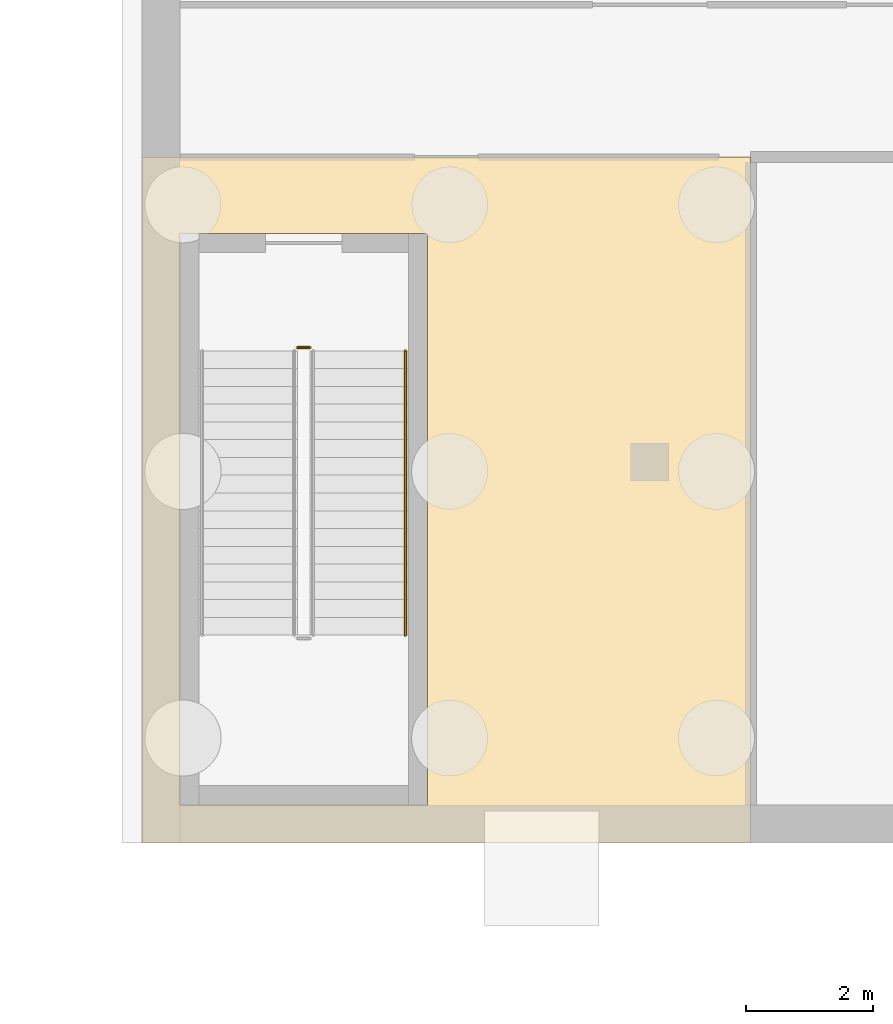
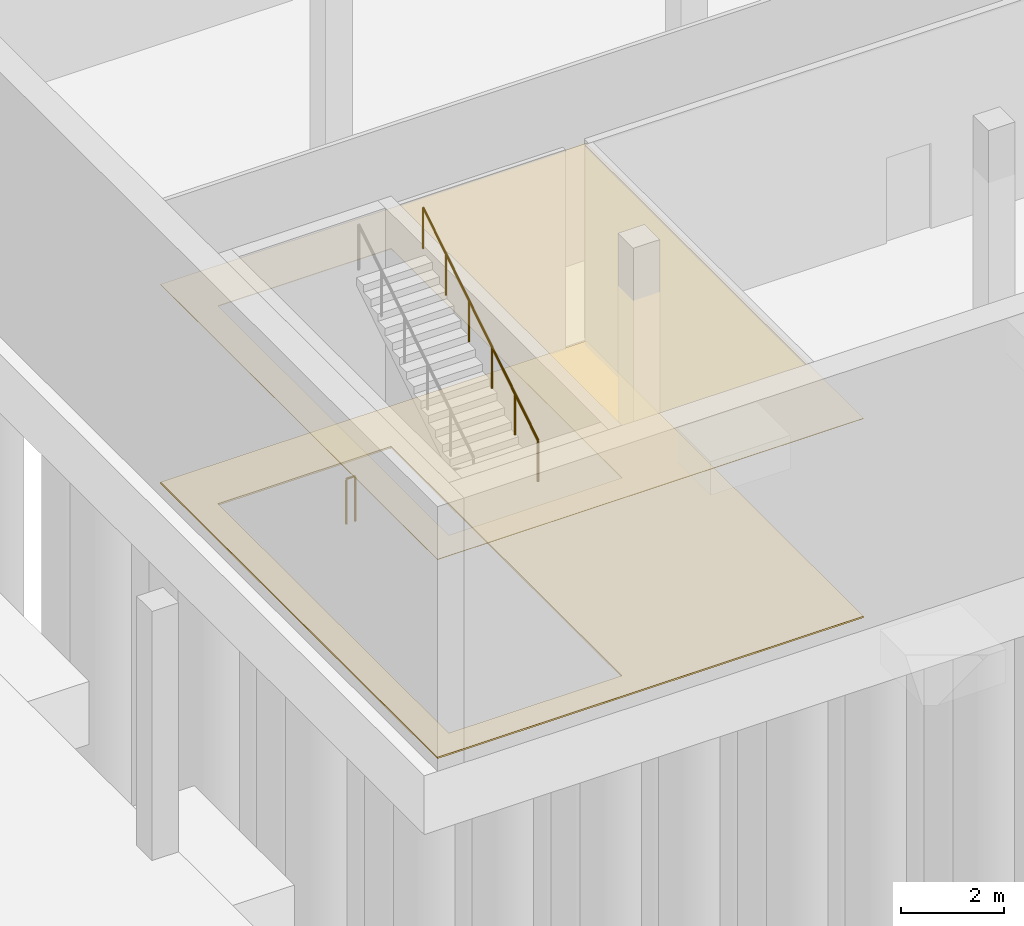
# One storey, part 47 of 66: 2 coverings, 2 railings.
"""IFC4 building model written with IfcOpenShell, lengths in metres."""

from ifc_helpers import new_model, si_unit, direction, frame, origin, origin_2d, place, context, subcontext, project, spatial, polyline, circle, outline, extrude, material, layer, layer_set, type_object, element, save


model = new_model("IFC4")

# Units and contexts
model_context = context("Model", 3, precision=1e-05, world=origin(), true_north=direction((0.0, 1.0)))
body_context = subcontext(model_context, "Body", "Model", "MODEL_VIEW")
ifc_project = project(units=[si_unit("LENGTHUNIT", "METRE"), si_unit("AREAUNIT", "SQUARE_METRE"), si_unit("VOLUMEUNIT", "CUBIC_METRE"), si_unit("PLANEANGLEUNIT", "RADIAN"), si_unit("MASSUNIT", "GRAM", prefix="KILO")], contexts=[model_context])

# Site, building, storey
site_placement = place(None, origin())
site = spatial("IfcSite", under=ifc_project, at=site_placement, CompositionType="ELEMENT")
building_placement = place(site_placement, origin())
building = spatial("IfcBuilding", under=site, at=building_placement, Name="Lunette Opera House", CompositionType="ELEMENT")
storey_placement = place(building_placement, frame((0.0, 0.0, -6.0)))
storey = spatial("IfcBuildingStorey", under=building, at=storey_placement, Name="B1", CompositionType="ELEMENT", Elevation=-6.0)

# Railings
ifc_material_1 = material(Name="Steel S355", Category="steel")
railing_type_1 = type_object("IfcRailingType", Name="STAIR GUARD 1100", PredefinedType="GUARDRAIL", material=ifc_material_1)
railing_1_placement = place(storey_placement, frame((62.449951171875, 103.800048828125, 0.0)))
element("IfcRailing", 1, at=railing_1_placement, inside=storey, type_object=railing_type_1, Name="B1 ST13 stair guard 4", PredefinedType="GUARDRAIL", context=body_context, shape_type="SweptSolid", body=[
    extrude(circle(Radius=0.02392578125, at=origin_2d()), frame((0.0, 0.0, 1.076171875), z_axis=(1.0, 0.0, 0.0), x_axis=(0.0, 1.0, 0.0)), (0.0, 0.0, 1.0), 0.199951171875),
    extrude(circle(Radius=0.02099609375, at=origin_2d()), origin(), (0.0, 0.0, 1.0), 1.052001953125),
    extrude(circle(Radius=0.02099609375, at=origin_2d()), frame((0.199951171875, 0.0, 0.0)), (0.0, 0.0, 1.0), 1.052001953125),
])
ifc_material_2 = material(Name="Steel S355", Category="steel")
railing_type_2 = type_object("IfcRailingType", Name="STAIR HANDRAIL 1000", PredefinedType="HANDRAIL", material=ifc_material_2)
railing_2_placement = place(storey_placement, frame((64.14990234375, 99.27001953125, 3.176513671875)))
element("IfcRailing", 2, at=railing_2_placement, inside=storey, type_object=railing_type_2, Name="B1 ST13 stair handrail 2", PredefinedType="HANDRAIL", context=body_context, shape_type="SweptSolid", body=[
    extrude(circle(Radius=0.02392578125, at=origin_2d()), frame((0.0, 0.0, 0.97607421875), z_axis=(0.0, 0.845997938375, 0.533186166611), x_axis=(-1.0, 0.0, 0.0)), (0.0, 0.0, 1.0), 5.29541015625),
    extrude(circle(Radius=0.02099609375, at=origin_2d()), origin(), (0.0, 0.0, 1.0), 0.951904296875),
    extrude(circle(Radius=0.02099609375, at=origin_2d()), frame((0.0, 0.89599609375, 0.564697265625)), (0.0, 0.0, 1.0), 0.951904296875),
    extrude(circle(Radius=0.02099609375, at=origin_2d()), frame((0.0, 1.7919921875, 1.12939453125)), (0.0, 0.0, 1.0), 0.951904296875),
    extrude(circle(Radius=0.02099609375, at=origin_2d()), frame((0.0, 2.68798828125, 1.694091796875)), (0.0, 0.0, 1.0), 0.951904296875),
    extrude(circle(Radius=0.02099609375, at=origin_2d()), frame((0.0, 3.583984375, 2.2587890625)), (0.0, 0.0, 1.0), 0.951904296875),
    extrude(circle(Radius=0.02099609375, at=origin_2d()), frame((0.0, 4.47998046875, 2.823486328125)), (0.0, 0.0, 1.0), 0.951904296875),
])

# Coverings
ifc_material_3 = material(Name="Mineral fibre board")
ifc_layer_1 = layer(ifc_material_3, 0.014892578125)
ifc_layer_set_1 = layer_set([ifc_layer_1], Name="Mineral fibre board")
covering_type_1 = type_object("IfcCoveringType", Name="SUSPENDED ACOUSTIC CEILING 15", PredefinedType="CEILING", material=ifc_layer_set_1)
covering_1_placement = place(storey_placement, frame((0.0, 0.0, 4.735107421875)))
element("IfcCovering", 3, at=covering_1_placement, inside=storey, type_object=covering_type_1, Name="Ceiling Stage Technicians' Room", PredefinedType="CEILING", context=body_context, shape_type="SweptSolid", body=[
    extrude(outline(polyline([(60.0, 96.0), (60.0, 106.800048828125), (69.591064453125, 106.800048828125), (69.591064453125, 96.0), (60.0, 96.0)]), holes=[polyline([(60.60009765625, 105.60009765625), (60.60009765625, 96.60009765625), (64.5, 96.60009765625), (64.5, 105.60009765625), (60.60009765625, 105.60009765625)])]), origin(), (0.0, 0.0, 1.0), 0.014892578125),
])
ifc_material_4 = material(Name="Timber", Category="wood")
ifc_layer_2 = layer(ifc_material_4, 0.0400390625)
ifc_layer_set_2 = layer_set([ifc_layer_2], Name="Timber")
covering_type_2 = type_object("IfcCoveringType", Name="TIMBER FLOOR FINISH 40", PredefinedType="FLOORING", material=ifc_layer_set_2)
covering_2_placement = place(storey_placement, origin())
element("IfcCovering", 4, at=covering_2_placement, inside=storey, type_object=covering_type_2, Name="Floor finish Stage Technicians' Room", PredefinedType="FLOORING", context=body_context, shape_type="SweptSolid", body=[
    extrude(outline(polyline([(60.0, 96.0), (60.0, 106.800048828125), (69.591064453125, 106.800048828125), (69.591064453125, 96.0), (60.0, 96.0)]), holes=[polyline([(60.60009765625, 105.60009765625), (60.60009765625, 96.60009765625), (64.5, 96.60009765625), (64.5, 105.60009765625), (60.60009765625, 105.60009765625)])]), origin(), (0.0, 0.0, 1.0), 0.0400390625),
])

save(model, "model.ifc")
